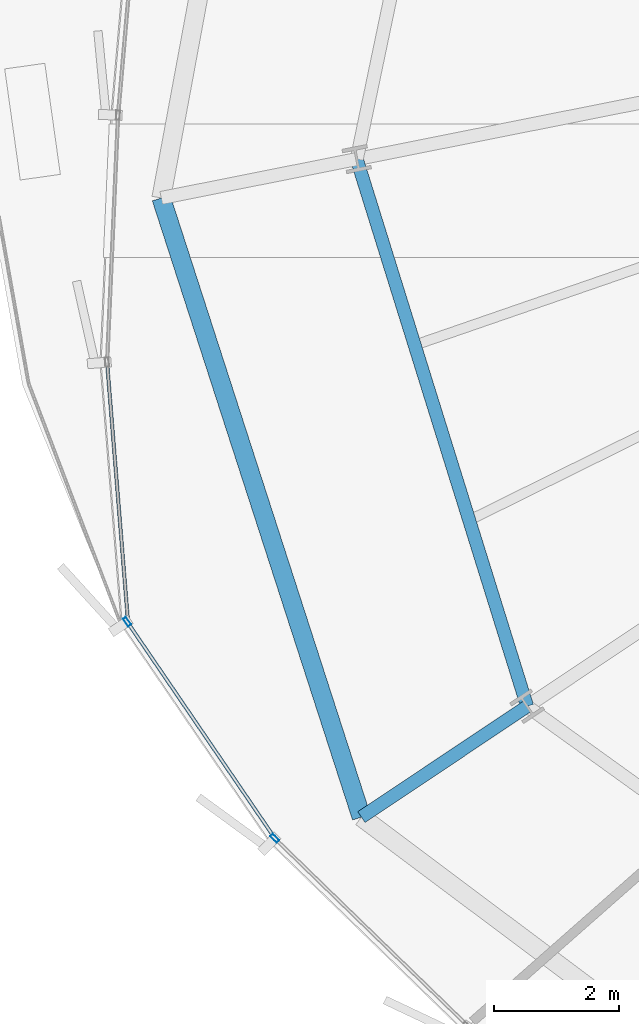
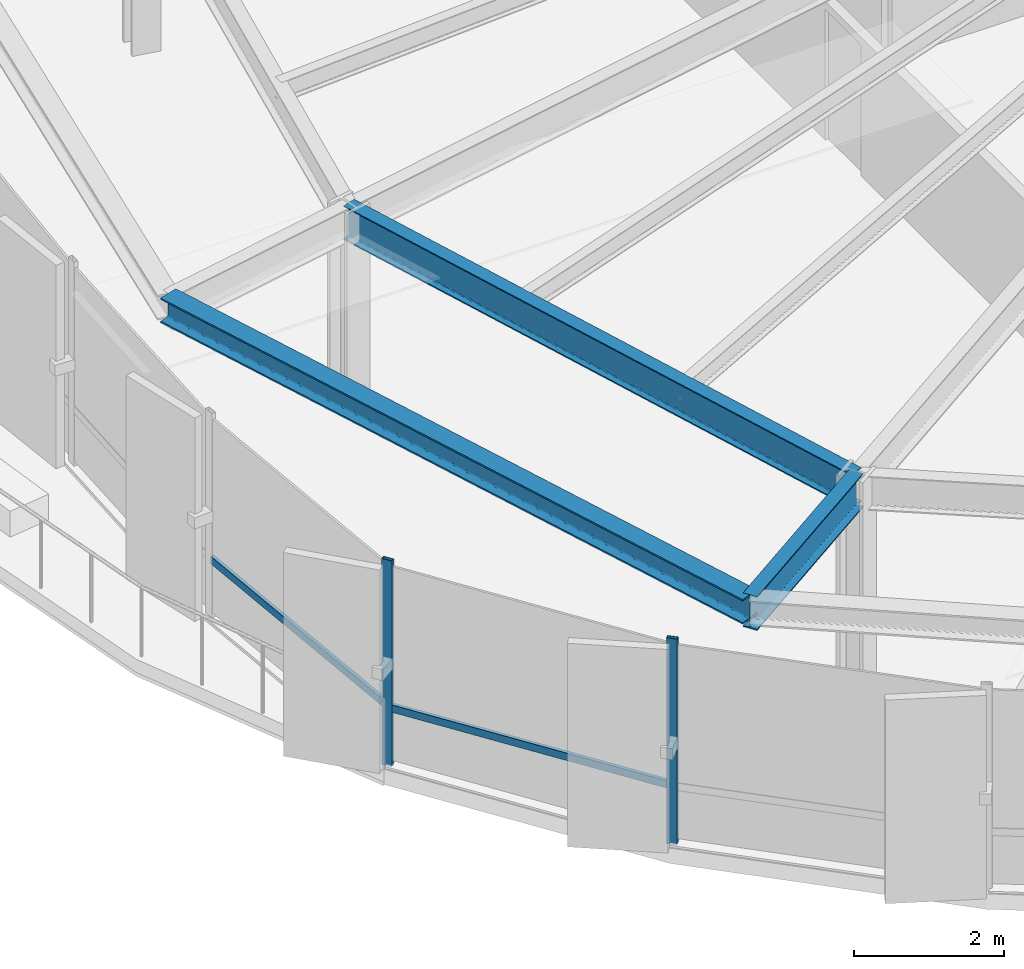
# One storey, part 3 of 35: 4 members, 3 beams, 1 element without a shape of its own.
"""IFC4 building model written with IfcOpenShell, lengths in metres."""

from ifc_helpers import new_model, si_unit, direction, frame, origin, origin_2d, place, context, subcontext, project, spatial, hollow_rectangle, i_section, extrude, source, transform, mapped, material, layer, layer_set, material_profile, profile_set, type_object, element, aggregate, save


model = new_model("IFC4")

# Units and contexts
model_context = context("Model", 3, precision=1e-05, world=origin(), true_north=direction((0.0, 1.0)))
body_context = subcontext(model_context, "Body", "Model", "MODEL_VIEW")
ifc_project = project(units=[si_unit("LENGTHUNIT", "METRE"), si_unit("AREAUNIT", "SQUARE_METRE"), si_unit("VOLUMEUNIT", "CUBIC_METRE"), si_unit("PLANEANGLEUNIT", "RADIAN"), si_unit("MASSUNIT", "GRAM", prefix="KILO"), si_unit("THERMODYNAMICTEMPERATUREUNIT", "KELVIN")], contexts=[model_context])

# Site, building, storey
site_placement = place(None, origin())
site = spatial("IfcSite", under=ifc_project, at=site_placement, CompositionType="ELEMENT")
building_placement = place(site_placement, origin())
building = spatial("IfcBuilding", under=site, at=building_placement, Name="Kethvar Cultural Tower", CompositionType="ELEMENT")
storey_placement = place(building_placement, frame((0.0, 0.0, 100.0)))
storey = spatial("IfcBuildingStorey", under=building, at=storey_placement, Name="L24", CompositionType="ELEMENT", Elevation=100.0)

# Beams
ifc_material_1 = material(Name="Steel S355J2", Category="steel")
ifc_material_profile_1 = material_profile(ifc_material_1, i_section(OverallWidth=0.2099609375, OverallDepth=0.550048828125, WebThickness=0.010986328125, FlangeThickness=0.01708984375, FilletRadius=0.02392578125, at=origin_2d()), Name="Steel S355J2 — IPE550")
ifc_profile_set_1 = profile_set([ifc_material_profile_1], Name="Steel S355J2 — IPE550")
beam_type_1 = type_object("IfcBeamType", Name="BM-IPE550", PredefinedType="BEAM", material=ifc_profile_set_1)
shared_shape_1 = source(origin(), body_context, "Body", "SweptSolid", [
    extrude(i_section(OverallWidth=0.2099609375, OverallDepth=0.550048828125, WebThickness=0.010986328125, FlangeThickness=0.01708984375, FilletRadius=0.02392578125, at=origin_2d()), origin(), (0.0, 0.0, 1.0), 3.199951171875),
])
beam_1_placement = place(storey_placement, frame((26.920654296875, 14.51708984375, 3.072998046875), z_axis=(-0.831462943996, -0.555580212716, 0.0), x_axis=(0.555580212716, -0.831462943996, 0.0)))
element("IfcBeam", 1, at=beam_1_placement, inside=storey, type_object=beam_type_1, Name="L24 Perimeter Cantilever Beam RC-10", PredefinedType="BEAM", context=body_context, shape_type="MappedRepresentation", body=[
    mapped(shared_shape_1, transform((0.0, 0.0, 0.0), scale=1.0)),
])
shared_shape_2 = source(origin(), body_context, "Body", "SweptSolid", [
    extrude(i_section(OverallWidth=0.2099609375, OverallDepth=0.550048828125, WebThickness=0.010986328125, FlangeThickness=0.01708984375, FilletRadius=0.02392578125, at=origin_2d()), origin(), (0.0, 0.0, 1.0), 9.20068359375),
])
beam_2_placement = place(storey_placement, frame((24.185302734375, 23.3017578125, 3.072998046875), z_axis=(0.297298800285, -0.954784490526, 0.0), x_axis=(0.954784490526, 0.297298800285, 0.0)))
element("IfcBeam", 2, at=beam_2_placement, inside=storey, type_object=beam_type_1, Name="L24 Column Ring Tie Beam CR-09", PredefinedType="BEAM", context=body_context, shape_type="MappedRepresentation", body=[
    mapped(shared_shape_2, transform((0.0, 0.0, 0.0), scale=1.0)),
])
ifc_material_profile_2 = material_profile(ifc_material_1, i_section(OverallWidth=0.300048828125, OverallDepth=0.39990234375, WebThickness=0.013427734375, FlangeThickness=0.02392578125, FilletRadius=0.027099609375, at=origin_2d()), Name="Steel S355J2 — HEB400")
ifc_profile_set_2 = profile_set([ifc_material_profile_2], Name="Steel S355J2 — HEB400")
beam_type_2 = type_object("IfcBeamType", Name="BM-SP400", PredefinedType="SPANDREL", material=ifc_profile_set_2)
shared_shape_3 = source(origin(), body_context, "Body", "SweptSolid", [
    extrude(i_section(OverallWidth=0.300048828125, OverallDepth=0.39990234375, WebThickness=0.013427734375, FlangeThickness=0.02392578125, FilletRadius=0.027099609375, at=origin_2d()), origin(), (0.0, 0.0, 1.0), 10.44482421875),
])
beam_3_placement = place(storey_placement, frame((21.046875, 22.677490234375, 3.14794921875), z_axis=(0.307631709258, -0.951505507845, 0.0), x_axis=(0.951505507845, 0.307631709258, 0.0)))
element("IfcBeam", 3, at=beam_3_placement, inside=storey, type_object=beam_type_2, Name="L24 Perimeter Spandrel Beam SP-09", PredefinedType="SPANDREL", context=body_context, shape_type="MappedRepresentation", body=[
    mapped(shared_shape_3, transform((0.0, 0.0, 0.0), scale=1.0)),
])

# Curtain wall, members
ifc_material_2 = material(Name="Aluminium 6063-T6", Category="aluminium")
ifc_layer = layer(ifc_material_2, 0.179931640625, Name="Aluminium 6063-T6", Category="aluminium")
ifc_layer_set = layer_set([ifc_layer], Name="Aluminium 6063-T6 (180 mm)")
curtain_wall_type = type_object("IfcCurtainWallType", Name="CW-SYS-03-Z2", PredefinedType="NOTDEFINED", material=ifc_layer_set)
curtain_wall_placement = place(storey_placement, origin())
curtain_wall = element("IfcCurtainWall", 4, at=curtain_wall_placement, inside=storey, type_object=curtain_wall_type, Name="L24 Curtain Wall Run 04", PredefinedType="NOTDEFINED")
ifc_material_profile_3 = material_profile(ifc_material_2, hollow_rectangle(XDim=0.06005859375, YDim=0.14990234375, WallThickness=0.0048828125, at=origin_2d()), Name="Aluminium 6063-T6 — RHS150x60x5")
ifc_profile_set_3 = profile_set([ifc_material_profile_3], Name="Aluminium 6063-T6 — RHS150x60x5")
member_type_1 = type_object("IfcMemberType", Name="CW-SYS-03-Z2-MUL", PredefinedType="MULLION", material=ifc_profile_set_3)
shared_shape_4 = source(origin(), body_context, "Body", "SweptSolid", [
    extrude(hollow_rectangle(XDim=0.06005859375, YDim=0.14990234375, WallThickness=0.0048828125, at=origin_2d()), origin(), (0.0, 0.0, 1.0), 3.35009765625),
])
member_1_placement = place(storey_placement, frame((20.49853515625, 15.876953125, 0.0), z_axis=(0.0, 0.0, 1.0), x_axis=(0.826088458985, 0.563540466987, 0.0)))
member_1 = element("IfcMember", 5, at=member_1_placement, type_object=member_type_1, Name="CW-L24-R04 Mullion 4", PredefinedType="MULLION", context=body_context, shape_type="MappedRepresentation", body=[
    mapped(shared_shape_4, transform((0.0, 0.0, 0.0), scale=1.0)),
])
member_2_placement = place(storey_placement, frame((22.867919921875, 12.399658203125, 0.0), z_axis=(0.0, 0.0, 1.0), x_axis=(0.696764595725, 0.717299866265, 0.0)))
member_2 = element("IfcMember", 6, at=member_2_placement, type_object=member_type_1, Name="CW-L24-R04 Mullion 5", PredefinedType="MULLION", context=body_context, shape_type="MappedRepresentation", body=[
    mapped(shared_shape_4, transform((0.0, 0.0, 0.0), scale=1.0)),
])
ifc_material_profile_4 = material_profile(ifc_material_2, hollow_rectangle(XDim=0.054931640625, YDim=0.1201171875, WallThickness=0.00390625, at=origin_2d()), Name="Aluminium 6063-T6 — RHS120x55x4")
ifc_profile_set_4 = profile_set([ifc_material_profile_4], Name="Aluminium 6063-T6 — RHS120x55x4")
member_type_2 = type_object("IfcMemberType", Name="CW-SYS-03-Z2-TRN", PredefinedType="USERDEFINED", material=ifc_profile_set_4)
shared_shape_5 = source(origin(), body_context, "Body", "SweptSolid", [
    extrude(hollow_rectangle(XDim=0.054931640625, YDim=0.1201171875, WallThickness=0.00390625, at=origin_2d()), origin(), (0.0, 0.0, 1.0), 4.147216796875),
])
member_3_placement = place(storey_placement, frame((20.1806640625, 19.998291015625, 0.949951171875), z_axis=(0.080531351304, -0.996752076224, 0.0), x_axis=(0.996752076224, 0.080531351304, 0.0)))
member_3 = element("IfcMember", 7, at=member_3_placement, type_object=member_type_2, Name="CW-L24-R04 Transom 3", ObjectType="TRANSOM", PredefinedType="USERDEFINED", context=body_context, shape_type="MappedRepresentation", body=[
    mapped(shared_shape_5, transform((0.0, 0.0, 0.0), scale=1.0)),
])
shared_shape_6 = source(origin(), body_context, "Body", "SweptSolid", [
    extrude(hollow_rectangle(XDim=0.054931640625, YDim=0.1201171875, WallThickness=0.00390625, at=origin_2d()), origin(), (0.0, 0.0, 1.0), 4.14453125),
])
member_4_placement = place(storey_placement, frame((20.52294921875, 15.84130859375, 0.949951171875), z_axis=(0.56350497644, -0.826112668785, 0.0), x_axis=(0.826112668785, 0.56350497644, 0.0)))
member_4 = element("IfcMember", 8, at=member_4_placement, type_object=member_type_2, Name="CW-L24-R04 Transom 4", ObjectType="TRANSOM", PredefinedType="USERDEFINED", context=body_context, shape_type="MappedRepresentation", body=[
    mapped(shared_shape_6, transform((0.0, 0.0, 0.0), scale=1.0)),
])
aggregate(curtain_wall, [member_1, member_2, member_3, member_4])

save(model, "model.ifc")
